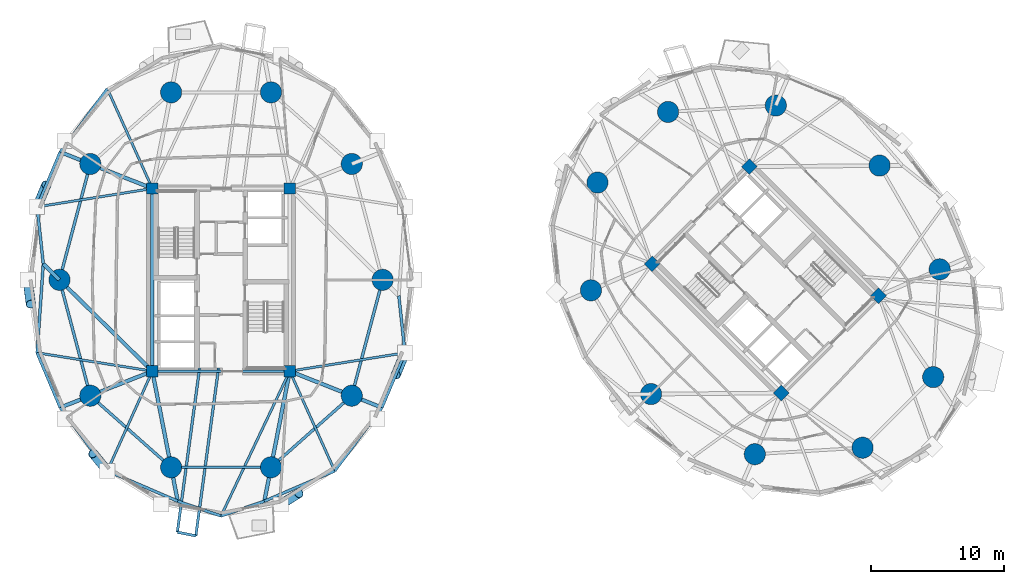
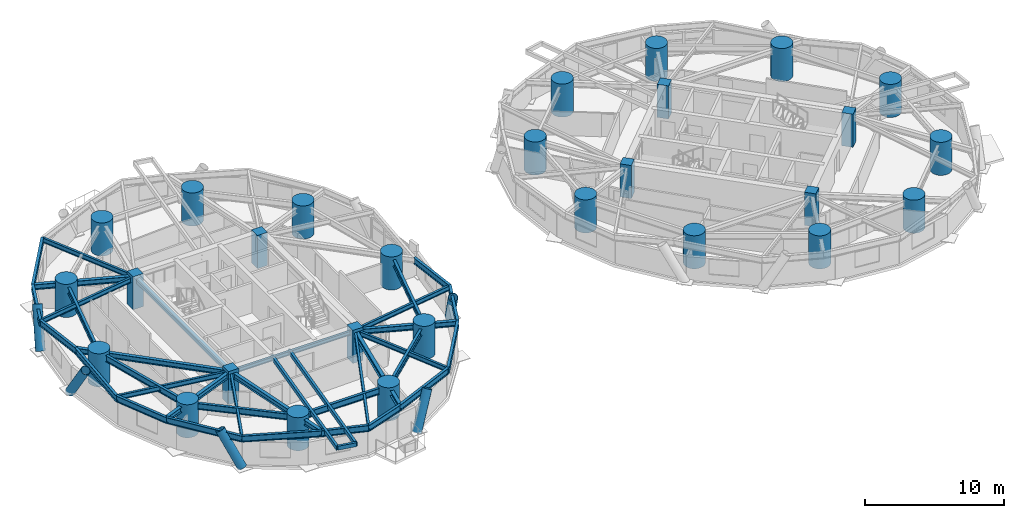
# One storey, part 1 of 18: 38 beams, 28 columns, 5 members.
"""IFC4 building model written with IfcOpenShell, lengths in metres."""

from ifc_helpers import new_model, si_unit, direction, frame, origin, origin_2d, place, context, subcontext, project, spatial, rectangle, hollow_rectangle, circle, hollow_circle, i_section, extrude, material, material_profile, profile_set, type_object, element, save


model = new_model("IFC4")

# Units and contexts
model_context = context("Model", 3, precision=1e-05, world=origin(), true_north=direction((0.0, 1.0)))
body_context = subcontext(model_context, "Body", "Model", "MODEL_VIEW")
ifc_project = project(units=[si_unit("LENGTHUNIT", "METRE"), si_unit("AREAUNIT", "SQUARE_METRE"), si_unit("VOLUMEUNIT", "CUBIC_METRE"), si_unit("PLANEANGLEUNIT", "RADIAN"), si_unit("MASSUNIT", "GRAM", prefix="KILO")], contexts=[model_context])

# Site, building, storey
site_placement = place(None, origin())
site = spatial("IfcSite", under=ifc_project, at=site_placement, CompositionType="ELEMENT")
building_placement = place(site_placement, origin())
building = spatial("IfcBuilding", under=site, at=building_placement, Name="Cununo Teusaquillo Station Towers", CompositionType="ELEMENT")
storey_placement = place(building_placement, frame((0.0, 0.0, 22.0)))
storey = spatial("IfcBuildingStorey", under=building, at=storey_placement, Name="L05", CompositionType="ELEMENT", Elevation=22.0)

# Columns
ifc_material_1 = material(Name="Concrete C50/60", Category="concrete")
ifc_material_profile_1 = material_profile(ifc_material_1, rectangle(XDim=0.85009765625, YDim=0.85009765625, at=origin_2d()), Name="RC-RECT-850x850")
ifc_profile_set_1 = profile_set([ifc_material_profile_1], Name="Concrete C50/60")
column_type_1 = type_object("IfcColumnType", Name="COL-CORE-Z1", PredefinedType="COLUMN", material=ifc_profile_set_1)
for number, where, z_axis, x_axis, name in (
    (1, (11.324951171875, 17.6201171875, 0.0), (0.0, 0.0, 1.0), (1.0, 0.0, 0.0), "L05 Tower A Core Column 1"),
    (2, (11.324951171875, 31.3798828125, 0.0), (0.0, 0.0, 1.0), (1.0, 0.0, 0.0), "L05 Tower A Core Column 2"),
    (3, (21.675048828125, 17.6201171875, 0.0), (0.0, 0.0, 1.0), (1.0, 0.0, 0.0), "L05 Tower A Core Column 3"),
    (4, (21.675048828125, 31.3798828125, 0.0), (0.0, 0.0, 1.0), (1.0, 0.0, 0.0), "L05 Tower A Core Column 4"),
    (5, (58.70556640625, 15.975830078125, 0.0), (0.0, 0.0, 1.0), (0.707106781187, 0.707106781187, 0.0), "L05 Tower B Core Column 1"),
    (6, (48.975830078125, 25.70556640625, 0.0), (0.0, 0.0, 1.0), (0.707106781187, 0.707106781187, 0.0), "L05 Tower B Core Column 2"),
    (7, (66.024169921875, 23.29443359375, 0.0), (0.0, 0.0, 1.0), (0.707106781187, 0.707106781187, 0.0), "L05 Tower B Core Column 3"),
    (8, (56.29443359375, 33.024169921875, 0.0), (0.0, 0.0, 1.0), (0.707106781187, 0.707106781187, 0.0), "L05 Tower B Core Column 4"),
):
    element("IfcColumn", number, at=place(storey_placement, frame(where, z_axis=z_axis, x_axis=x_axis)), inside=storey, type_object=column_type_1, Name=name, PredefinedType="COLUMN", context=body_context, shape_type="SweptSolid", body=[
        extrude(rectangle(XDim=0.85009765625, YDim=0.85009765625, at=origin_2d()), origin(), (0.0, 0.0, 1.0), 2.909912109375),
    ])
ifc_material_2 = material(Name="Concrete C60/75", Category="concrete")
ifc_material_profile_2 = material_profile(ifc_material_2, circle(Radius=0.800048828125, at=origin_2d()), Name="RC-CIRC-1600")
ifc_profile_set_2 = profile_set([ifc_material_profile_2], Name="Concrete C60/75")
column_type_2 = type_object("IfcColumnType", Name="COL-MEGA-Z1", PredefinedType="USERDEFINED", material=ifc_profile_set_2)
for number, where, z_axis, x_axis, name in (
    (9, (28.672119140625, 24.5, 0.0), (0.0, 0.0, 1.0), (1.0, 0.0, 0.0), "L05 Tower A Perimeter Column V00"),
    (10, (26.347412109375, 33.228515625, 0.0), (0.0, 0.0, 1.0), (1.0, 0.0, 0.0), "L05 Tower A Perimeter Column V02"),
    (11, (20.261474609375, 38.623291015625, 0.0), (0.0, 0.0, 1.0), (1.0, 0.0, 0.0), "L05 Tower A Perimeter Column V04"),
    (12, (12.738525390625, 38.623291015625, 0.0), (0.0, 0.0, 1.0), (1.0, 0.0, 0.0), "L05 Tower A Perimeter Column V06"),
    (13, (6.652587890625, 33.228515625, 0.0), (0.0, 0.0, 1.0), (1.0, 0.0, 0.0), "L05 Tower A Perimeter Column V08"),
    (14, (4.327880859375, 24.5, 0.0), (0.0, 0.0, 1.0), (1.0, 0.0, 0.0), "L05 Tower A Perimeter Column V10"),
    (15, (6.652587890625, 15.771484375, 0.0), (0.0, 0.0, 1.0), (1.0, 0.0, 0.0), "L05 Tower A Perimeter Column V12"),
    (16, (12.738525390625, 10.376708984375, 0.0), (0.0, 0.0, 1.0), (1.0, 0.0, 0.0), "L05 Tower A Perimeter Column V14"),
    (17, (20.261474609375, 10.376708984375, 0.0), (0.0, 0.0, 1.0), (1.0, 0.0, 0.0), "L05 Tower A Perimeter Column V16"),
    (18, (26.347412109375, 15.771484375, 0.0), (0.0, 0.0, 1.0), (1.0, 0.0, 0.0), "L05 Tower A Perimeter Column V18"),
    (19, (66.10693359375, 33.10693359375, 0.0), (0.0, 0.0, 1.0), (1.0, 0.0, 0.0), "L05 Tower B Perimeter Column V00"),
    (20, (58.291015625, 37.63525390625, 0.0), (0.0, 0.0, 1.0), (1.0, 0.0, 0.0), "L05 Tower B Perimeter Column V02"),
    (21, (50.173095703125, 37.146240234375, 0.0), (0.0, 0.0, 1.0), (1.0, 0.0, 0.0), "L05 Tower B Perimeter Column V04"),
    (22, (44.853759765625, 31.826904296875, 0.0), (0.0, 0.0, 1.0), (1.0, 0.0, 0.0), "L05 Tower B Perimeter Column V06"),
    (23, (44.36474609375, 23.708984375, 0.0), (0.0, 0.0, 1.0), (1.0, 0.0, 0.0), "L05 Tower B Perimeter Column V08"),
    (24, (48.89306640625, 15.89306640625, 0.0), (0.0, 0.0, 1.0), (1.0, 0.0, 0.0), "L05 Tower B Perimeter Column V10"),
    (25, (56.708984375, 11.36474609375, 0.0), (0.0, 0.0, 1.0), (1.0, 0.0, 0.0), "L05 Tower B Perimeter Column V12"),
    (26, (64.826904296875, 11.853759765625, 0.0), (0.0, 0.0, 1.0), (1.0, 0.0, 0.0), "L05 Tower B Perimeter Column V14"),
    (27, (70.146240234375, 17.173095703125, 0.0), (0.0, 0.0, 1.0), (1.0, 0.0, 0.0), "L05 Tower B Perimeter Column V16"),
    (28, (70.63525390625, 25.291015625, 0.0), (0.0, 0.0, 1.0), (1.0, 0.0, 0.0), "L05 Tower B Perimeter Column V18"),
):
    element("IfcColumn", number, at=place(storey_placement, frame(where, z_axis=z_axis, x_axis=x_axis)), inside=storey, type_object=column_type_2, Name=name, ObjectType="MEGA COLUMN", PredefinedType="USERDEFINED", context=body_context, shape_type="SweptSolid", body=[
        extrude(circle(Radius=0.800048828125, at=origin_2d()), origin(), (0.0, 0.0, 1.0), 2.909912109375),
    ])

# Beams
ifc_material_3 = material(Name="Steel EN 10025-2 S355J2", Category="steel")
ifc_material_profile_3 = material_profile(ifc_material_3, hollow_rectangle(XDim=0.199951171875, YDim=0.35009765625, WallThickness=0.013916015625, at=origin_2d()), Name="RHS 350x200x14")
ifc_profile_set_3 = profile_set([ifc_material_profile_3], Name="Steel EN 10025-2 S355J2")
beam_type_1 = type_object("IfcBeamType", Name="BM-BAL-CANT", PredefinedType="BEAM", material=ifc_profile_set_3)
beam_1_placement = place(storey_placement, frame((14.884521484375, 17.85009765625, 2.47509765625), z_axis=(-0.134333385501, -0.990936194485, 0.0), x_axis=(0.990936194485, -0.134333385501, 0.0)))
element("IfcBeam", 29, at=beam_1_placement, inside=storey, type_object=beam_type_1, Name="L05 Tower A Balcony Cantilever Bracket 2A", PredefinedType="BEAM", context=body_context, shape_type="SweptSolid", body=[
    extrude(hollow_rectangle(XDim=0.199951171875, YDim=0.35009765625, WallThickness=0.013916015625, at=origin_2d()), origin(), (0.0, 0.0, 1.0), 12.4765625),
])
beam_2_placement = place(storey_placement, frame((16.3125, 17.85009765625, 2.47509765625), z_axis=(-0.1343260621, -0.990937187233, 0.0), x_axis=(0.990937187233, -0.1343260621, 0.0)))
element("IfcBeam", 30, at=beam_2_placement, inside=storey, type_object=beam_type_1, Name="L05 Tower A Balcony Cantilever Bracket 2B", PredefinedType="BEAM", context=body_context, shape_type="SweptSolid", body=[
    extrude(hollow_rectangle(XDim=0.199951171875, YDim=0.35009765625, WallThickness=0.013916015625, at=origin_2d()), origin(), (0.0, 0.0, 1.0), 12.748046875),
])
ifc_material_4 = material(Name="Steel EN 10025-2 S355J2", Category="steel")
ifc_material_profile_4 = material_profile(ifc_material_4, hollow_rectangle(XDim=0.25, YDim=0.449951171875, WallThickness=0.01611328125, at=origin_2d()), Name="RHS 450x250x16")
ifc_profile_set_4 = profile_set([ifc_material_profile_4], Name="Steel EN 10025-2 S355J2")
beam_type_2 = type_object("IfcBeamType", Name="BM-COUP-1", PredefinedType="USERDEFINED", material=ifc_profile_set_4)
beam_3_placement = place(storey_placement, frame((11.324951171875, 17.6201171875, 2.425048828125), z_axis=(0.0, 1.0, 0.0), x_axis=(-1.0, 0.0, 0.0)))
element("IfcBeam", 31, at=beam_3_placement, inside=storey, type_object=beam_type_2, Name="L05 Tower A Core Beam 1", ObjectType="COUPLING BEAM", PredefinedType="USERDEFINED", context=body_context, shape_type="SweptSolid", body=[
    extrude(hollow_rectangle(XDim=0.25, YDim=0.449951171875, WallThickness=0.01611328125, at=origin_2d()), origin(), (0.0, 0.0, 1.0), 13.759765625),
])
ifc_material_5 = material(Name="Steel ASTM A572 Grade 50", Category="steel")
ifc_material_profile_5 = material_profile(ifc_material_5, i_section(OverallWidth=0.180908203125, OverallDepth=0.4169921875, WebThickness=0.010986328125, FlangeThickness=0.018310546875, FilletRadius=0.012939453125, at=origin_2d()), Name="W16X57")
ifc_profile_set_5 = profile_set([ifc_material_profile_5], Name="Steel ASTM A572 Grade 50")
beam_type_3 = type_object("IfcBeamType", Name="BM-JOIST-1", PredefinedType="JOIST", material=ifc_profile_set_5)
beam_4_placement = place(storey_placement, frame((11.324951171875, 31.3798828125, 2.44140625), z_axis=(-0.41127716143, 0.911510338113, 0.0), x_axis=(-0.911510338113, -0.41127716143, 0.0)))
element("IfcBeam", 32, at=beam_4_placement, inside=storey, type_object=beam_type_3, Name="L05 Tower A Radial Spandrel Joist V07", PredefinedType="JOIST", context=body_context, shape_type="SweptSolid", body=[
    extrude(i_section(OverallWidth=0.180908203125, OverallDepth=0.4169921875, WebThickness=0.010986328125, FlangeThickness=0.018310546875, FilletRadius=0.012939453125, at=origin_2d()), origin(), (0.0, 0.0, 1.0), 8.24169921875),
])
for number, where, z_axis, x_axis, name in (
    (33, (11.324951171875, 31.3798828125, 2.44140625), (-0.987559048351, -0.157248612141, 0.0), (0.157248612141, -0.987559048351, 0.0), "L05 Tower A Radial Spandrel Joist V09"),
    (34, (11.324951171875, 17.6201171875, 2.44140625), (-0.987559048351, 0.157248612141, 0.0), (-0.157248612141, -0.987559048351, 0.0), "L05 Tower A Radial Spandrel Joist V11"),
):
    element("IfcBeam", number, at=place(storey_placement, frame(where, z_axis=z_axis, x_axis=x_axis)), inside=storey, type_object=beam_type_3, Name=name, PredefinedType="JOIST", context=body_context, shape_type="SweptSolid", body=[
        extrude(i_section(OverallWidth=0.180908203125, OverallDepth=0.4169921875, WebThickness=0.010986328125, FlangeThickness=0.018310546875, FilletRadius=0.012939453125, at=origin_2d()), origin(), (0.0, 0.0, 1.0), 8.792236328125),
    ])
beam_5_placement = place(storey_placement, frame((11.324951171875, 17.6201171875, 2.44140625), z_axis=(-0.41127716143, -0.911510338113, 0.0), x_axis=(0.911510338113, -0.41127716143, 0.0)))
element("IfcBeam", 35, at=beam_5_placement, inside=storey, type_object=beam_type_3, Name="L05 Tower A Radial Spandrel Joist V13", PredefinedType="JOIST", context=body_context, shape_type="SweptSolid", body=[
    extrude(i_section(OverallWidth=0.180908203125, OverallDepth=0.4169921875, WebThickness=0.010986328125, FlangeThickness=0.018310546875, FilletRadius=0.012939453125, at=origin_2d()), origin(), (0.0, 0.0, 1.0), 8.24169921875),
])
beam_6_placement = place(storey_placement, frame((21.675048828125, 17.6201171875, 2.44140625), z_axis=(-0.428565163203, -0.903510874804, 0.0), x_axis=(0.903510874804, -0.428565163203, 0.0)))
element("IfcBeam", 36, at=beam_6_placement, inside=storey, type_object=beam_type_3, Name="L05 Tower A Radial Spandrel Joist V15", PredefinedType="JOIST", context=body_context, shape_type="SweptSolid", body=[
    extrude(i_section(OverallWidth=0.180908203125, OverallDepth=0.4169921875, WebThickness=0.010986328125, FlangeThickness=0.018310546875, FilletRadius=0.012939453125, at=origin_2d()), origin(), (0.0, 0.0, 1.0), 12.0751953125),
])
beam_7_placement = place(storey_placement, frame((21.675048828125, 17.6201171875, 2.44140625), z_axis=(0.41127716143, -0.911510338113, 0.0), x_axis=(0.911510338113, 0.41127716143, 0.0)))
element("IfcBeam", 37, at=beam_7_placement, inside=storey, type_object=beam_type_3, Name="L05 Tower A Radial Spandrel Joist V17", PredefinedType="JOIST", context=body_context, shape_type="SweptSolid", body=[
    extrude(i_section(OverallWidth=0.180908203125, OverallDepth=0.4169921875, WebThickness=0.010986328125, FlangeThickness=0.018310546875, FilletRadius=0.012939453125, at=origin_2d()), origin(), (0.0, 0.0, 1.0), 8.24169921875),
])
beam_8_placement = place(storey_placement, frame((21.675048828125, 17.6201171875, 2.44140625), z_axis=(0.987559048351, 0.157248612141, 0.0), x_axis=(-0.157248612141, 0.987559048351, 0.0)))
element("IfcBeam", 38, at=beam_8_placement, inside=storey, type_object=beam_type_3, Name="L05 Tower A Radial Spandrel Joist V19", PredefinedType="JOIST", context=body_context, shape_type="SweptSolid", body=[
    extrude(i_section(OverallWidth=0.180908203125, OverallDepth=0.4169921875, WebThickness=0.010986328125, FlangeThickness=0.018310546875, FilletRadius=0.012939453125, at=origin_2d()), origin(), (0.0, 0.0, 1.0), 8.792236328125),
])
ifc_material_6 = material(Name="Steel ASTM A572 Grade 50", Category="steel")
ifc_material_profile_6 = material_profile(ifc_material_6, i_section(OverallWidth=0.2041015625, OverallDepth=0.35009765625, WebThickness=0.008544921875, FlangeThickness=0.01513671875, FilletRadius=0.011962890625, at=origin_2d()), Name="W14X48")
ifc_profile_set_6 = profile_set([ifc_material_profile_6], Name="Steel ASTM A572 Grade 50")
beam_type_4 = type_object("IfcBeamType", Name="BM-LINTEL-1", PredefinedType="LINTEL", material=ifc_profile_set_6)
beam_9_placement = place(storey_placement, frame((11.324951171875, 17.6201171875, 2.47509765625), z_axis=(1.0, 0.0, 0.0), x_axis=(0.0, 1.0, 0.0)))
element("IfcBeam", 39, at=beam_9_placement, inside=storey, type_object=beam_type_4, Name="L05 Tower A Core Beam 3", PredefinedType="LINTEL", context=body_context, shape_type="SweptSolid", body=[
    extrude(i_section(OverallWidth=0.2041015625, OverallDepth=0.35009765625, WebThickness=0.008544921875, FlangeThickness=0.01513671875, FilletRadius=0.011962890625, at=origin_2d()), origin(), (0.0, 0.0, 1.0), 10.35009765625),
])
ifc_material_7 = material(Name="Steel ASTM A572 Grade 50", Category="steel")
ifc_material_profile_7 = material_profile(ifc_material_7, i_section(OverallWidth=0.280029296875, OverallDepth=0.462890625, WebThickness=0.0107421875, FlangeThickness=0.017333984375, FilletRadius=0.013916015625, at=origin_2d()), Name="W18X76")
ifc_profile_set_7 = profile_set([ifc_material_profile_7], Name="Steel ASTM A572 Grade 50")
beam_type_5 = type_object("IfcBeamType", Name="BM-RAD-G1", PredefinedType="BEAM", material=ifc_profile_set_7)
beam_10_placement = place(storey_placement, frame((11.324951171875, 31.3798828125, 2.41845703125), z_axis=(-0.929859530412, 0.367914737, 0.0), x_axis=(-0.367914737, -0.929859530412, 0.0)))
element("IfcBeam", 40, at=beam_10_placement, inside=storey, type_object=beam_type_5, Name="L05 Tower A Continuous Overhanging Radial Girder 05", PredefinedType="BEAM", context=body_context, shape_type="SweptSolid", body=[
    extrude(i_section(OverallWidth=0.280029296875, OverallDepth=0.462890625, WebThickness=0.0107421875, FlangeThickness=0.017333984375, FilletRadius=0.013916015625, at=origin_2d()), origin(), (0.0, 0.0, 1.0), 7.46533203125),
])
beam_11_placement = place(storey_placement, frame((11.324951171875, 17.6201171875, 2.41845703125), z_axis=(-0.713052701438, 0.701110437073, 0.0), x_axis=(-0.701110437073, -0.713052701438, 0.0)))
element("IfcBeam", 41, at=beam_11_placement, inside=storey, type_object=beam_type_5, Name="L05 Tower A Radial Girder 06A", PredefinedType="BEAM", context=body_context, shape_type="SweptSolid", body=[
    extrude(i_section(OverallWidth=0.280029296875, OverallDepth=0.462890625, WebThickness=0.0107421875, FlangeThickness=0.017333984375, FilletRadius=0.013916015625, at=origin_2d()), origin(), (0.0, 0.0, 1.0), 9.812744140625),
])
beam_12_placement = place(storey_placement, frame((4.327880859375, 24.5, 2.41845703125), z_axis=(-0.713076004542, 0.701086736251, 0.0), x_axis=(-0.701086736251, -0.713076004542, 0.0)))
element("IfcBeam", 42, at=beam_12_placement, inside=storey, type_object=beam_type_5, Name="L05 Tower A Perimeter Overhang Girder 06B", PredefinedType="BEAM", context=body_context, shape_type="SweptSolid", body=[
    extrude(i_section(OverallWidth=0.280029296875, OverallDepth=0.462890625, WebThickness=0.0107421875, FlangeThickness=0.017333984375, FilletRadius=0.013916015625, at=origin_2d()), origin(), (0.0, 0.0, 1.0), 1.71044921875),
])
beam_13_placement = place(storey_placement, frame((11.324951171875, 17.6201171875, 2.41845703125), z_axis=(-0.929859530412, -0.367914737, 0.0), x_axis=(0.367914737, -0.929859530412, 0.0)))
element("IfcBeam", 43, at=beam_13_placement, inside=storey, type_object=beam_type_5, Name="L05 Tower A Continuous Overhanging Radial Girder 07", PredefinedType="BEAM", context=body_context, shape_type="SweptSolid", body=[
    extrude(i_section(OverallWidth=0.280029296875, OverallDepth=0.462890625, WebThickness=0.0107421875, FlangeThickness=0.017333984375, FilletRadius=0.013916015625, at=origin_2d()), origin(), (0.0, 0.0, 1.0), 7.46533203125),
])
for number, where, z_axis, x_axis, name in (
    (44, (11.324951171875, 17.6201171875, 2.41845703125), (0.191551733899, -0.981482518051, 0.0), (0.981482518051, 0.191551733899, 0.0), "L05 Tower A Continuous Overhanging Radial Girder 08"),
    (45, (21.675048828125, 17.6201171875, 2.41845703125), (-0.191551733899, -0.981482518051, 0.0), (0.981482518051, -0.191551733899, 0.0), "L05 Tower A Continuous Overhanging Radial Girder 09"),
):
    element("IfcBeam", number, at=place(storey_placement, frame(where, z_axis=z_axis, x_axis=x_axis)), inside=storey, type_object=beam_type_5, Name=name, PredefinedType="BEAM", context=body_context, shape_type="SweptSolid", body=[
        extrude(i_section(OverallWidth=0.280029296875, OverallDepth=0.462890625, WebThickness=0.0107421875, FlangeThickness=0.017333984375, FilletRadius=0.013916015625, at=origin_2d()), origin(), (0.0, 0.0, 1.0), 9.982177734375),
    ])
beam_14_placement = place(storey_placement, frame((21.675048828125, 17.6201171875, 2.41845703125), z_axis=(0.929859530412, -0.367914737, 0.0), x_axis=(0.367914737, 0.929859530412, 0.0)))
element("IfcBeam", 46, at=beam_14_placement, inside=storey, type_object=beam_type_5, Name="L05 Tower A Continuous Overhanging Radial Girder 10", PredefinedType="BEAM", context=body_context, shape_type="SweptSolid", body=[
    extrude(i_section(OverallWidth=0.280029296875, OverallDepth=0.462890625, WebThickness=0.0107421875, FlangeThickness=0.017333984375, FilletRadius=0.013916015625, at=origin_2d()), origin(), (0.0, 0.0, 1.0), 7.46533203125),
])
ifc_material_8 = material(Name="Steel ASTM A572 Grade 50", Category="steel")
ifc_material_profile_8 = material_profile(ifc_material_8, i_section(OverallWidth=0.214111328125, OverallDepth=0.549072265625, WebThickness=0.0146484375, FlangeThickness=0.023681640625, FilletRadius=0.014892578125, at=origin_2d()), Name="W21X93")
ifc_profile_set_8 = profile_set([ifc_material_profile_8], Name="Steel ASTM A572 Grade 50")
beam_type_6 = type_object("IfcBeamType", Name="BM-RING-Z1", PredefinedType="SPANDREL", material=ifc_profile_set_8)
for number, where, z_axis, x_axis, name in (
    (47, (6.652587890625, 33.228515625, 2.37548828125), (-0.257363196347, -0.966314744359, 0.0), (0.966314744359, -0.257363196347, 0.0), "L05 Tower A Structural Column Ring Girder 05"),
    (48, (4.327880859375, 24.5, 2.37548828125), (0.257363196347, -0.966314744359, 0.0), (0.966314744359, 0.257363196347, 0.0), "L05 Tower A Structural Column Ring Girder 06"),
):
    element("IfcBeam", number, at=place(storey_placement, frame(where, z_axis=z_axis, x_axis=x_axis)), inside=storey, type_object=beam_type_6, Name=name, PredefinedType="SPANDREL", context=body_context, shape_type="SweptSolid", body=[
        extrude(i_section(OverallWidth=0.214111328125, OverallDepth=0.549072265625, WebThickness=0.0146484375, FlangeThickness=0.023681640625, FilletRadius=0.014892578125, at=origin_2d()), origin(), (0.0, 0.0, 1.0), 9.03271484375),
    ])
beam_15_placement = place(storey_placement, frame((6.652587890625, 15.771484375, 2.37548828125), z_axis=(0.74832120039, -0.66333655187, 0.0), x_axis=(0.66333655187, 0.74832120039, 0.0)))
element("IfcBeam", 49, at=beam_15_placement, inside=storey, type_object=beam_type_6, Name="L05 Tower A Structural Column Ring Girder 07", PredefinedType="SPANDREL", context=body_context, shape_type="SweptSolid", body=[
    extrude(i_section(OverallWidth=0.214111328125, OverallDepth=0.549072265625, WebThickness=0.0146484375, FlangeThickness=0.023681640625, FilletRadius=0.014892578125, at=origin_2d()), origin(), (0.0, 0.0, 1.0), 8.1328125),
])
beam_16_placement = place(storey_placement, frame((12.738525390625, 10.376708984375, 2.37548828125), z_axis=(1.0, 0.0, 0.0), x_axis=(0.0, 1.0, 0.0)))
element("IfcBeam", 50, at=beam_16_placement, inside=storey, type_object=beam_type_6, Name="L05 Tower A Structural Column Ring Girder 08", PredefinedType="SPANDREL", context=body_context, shape_type="SweptSolid", body=[
    extrude(i_section(OverallWidth=0.214111328125, OverallDepth=0.549072265625, WebThickness=0.0146484375, FlangeThickness=0.023681640625, FilletRadius=0.014892578125, at=origin_2d()), origin(), (0.0, 0.0, 1.0), 7.52294921875),
])
beam_17_placement = place(storey_placement, frame((20.261474609375, 10.376708984375, 2.37548828125), z_axis=(0.74832120039, 0.66333655187, 0.0), x_axis=(-0.66333655187, 0.74832120039, 0.0)))
element("IfcBeam", 51, at=beam_17_placement, inside=storey, type_object=beam_type_6, Name="L05 Tower A Structural Column Ring Girder 09", PredefinedType="SPANDREL", context=body_context, shape_type="SweptSolid", body=[
    extrude(i_section(OverallWidth=0.214111328125, OverallDepth=0.549072265625, WebThickness=0.0146484375, FlangeThickness=0.023681640625, FilletRadius=0.014892578125, at=origin_2d()), origin(), (0.0, 0.0, 1.0), 8.1328125),
])
beam_18_placement = place(storey_placement, frame((26.347412109375, 15.771484375, 2.37548828125), z_axis=(0.257363196347, 0.966314744359, 0.0), x_axis=(-0.966314744359, 0.257363196347, 0.0)))
element("IfcBeam", 52, at=beam_18_placement, inside=storey, type_object=beam_type_6, Name="L05 Tower A Structural Column Ring Girder 10", PredefinedType="SPANDREL", context=body_context, shape_type="SweptSolid", body=[
    extrude(i_section(OverallWidth=0.214111328125, OverallDepth=0.549072265625, WebThickness=0.0146484375, FlangeThickness=0.023681640625, FilletRadius=0.014892578125, at=origin_2d()), origin(), (0.0, 0.0, 1.0), 9.03271484375),
])
beam_19_placement = place(storey_placement, frame((7.935302734375, 38.892333984375, 2.37548828125), z_axis=(-0.597585408829, -0.801805262613, 0.0), x_axis=(0.801805262613, -0.597585408829, 0.0)))
element("IfcBeam", 53, at=beam_19_placement, inside=storey, type_object=beam_type_6, Name="L05 Tower A Spandrel Ring Beam 08", PredefinedType="SPANDREL", context=body_context, shape_type="SweptSolid", body=[
    extrude(i_section(OverallWidth=0.214111328125, OverallDepth=0.549072265625, WebThickness=0.0146484375, FlangeThickness=0.023681640625, FilletRadius=0.014892578125, at=origin_2d()), origin(), (0.0, 0.0, 1.0), 5.94384765625),
])
beam_20_placement = place(storey_placement, frame((4.38330078125, 34.12646484375, 2.37548828125), z_axis=(-0.388553804392, -0.921426036691, 0.0), x_axis=(0.921426036691, -0.388553804392, 0.0)))
element("IfcBeam", 54, at=beam_20_placement, inside=storey, type_object=beam_type_6, Name="L05 Tower A Spandrel Ring Beam 09", PredefinedType="SPANDREL", context=body_context, shape_type="SweptSolid", body=[
    extrude(i_section(OverallWidth=0.214111328125, OverallDepth=0.549072265625, WebThickness=0.0146484375, FlangeThickness=0.023681640625, FilletRadius=0.014892578125, at=origin_2d()), origin(), (0.0, 0.0, 1.0), 4.481201171875),
])
beam_21_placement = place(storey_placement, frame((2.64208984375, 29.997314453125, 2.37548828125), z_axis=(0.107803171724, -0.994172256788, 0.0), x_axis=(0.994172256788, 0.107803171724, 0.0)))
element("IfcBeam", 55, at=beam_21_placement, inside=storey, type_object=beam_type_6, Name="L05 Tower A Spandrel Ring Beam 10", PredefinedType="SPANDREL", context=body_context, shape_type="SweptSolid", body=[
    extrude(i_section(OverallWidth=0.214111328125, OverallDepth=0.549072265625, WebThickness=0.0146484375, FlangeThickness=0.023681640625, FilletRadius=0.014892578125, at=origin_2d()), origin(), (0.0, 0.0, 1.0), 4.3232421875),
])
beam_22_placement = place(storey_placement, frame((3.108154296875, 25.69921875, 2.37548828125), z_axis=(-0.069429919473, -0.99758683145, 0.0), x_axis=(0.99758683145, -0.069429919473, 0.0)))
element("IfcBeam", 56, at=beam_22_placement, inside=storey, type_object=beam_type_6, Name="L05 Tower A Spandrel Ring Beam 11", PredefinedType="SPANDREL", context=body_context, shape_type="SweptSolid", body=[
    extrude(i_section(OverallWidth=0.214111328125, OverallDepth=0.549072265625, WebThickness=0.0146484375, FlangeThickness=0.023681640625, FilletRadius=0.014892578125, at=origin_2d()), origin(), (0.0, 0.0, 1.0), 6.712646484375),
])
beam_23_placement = place(storey_placement, frame((2.64208984375, 19.002685546875, 2.37548828125), z_axis=(0.388553804392, -0.921426036691, 0.0), x_axis=(0.921426036691, 0.388553804392, 0.0)))
element("IfcBeam", 57, at=beam_23_placement, inside=storey, type_object=beam_type_6, Name="L05 Tower A Spandrel Ring Beam 12", PredefinedType="SPANDREL", context=body_context, shape_type="SweptSolid", body=[
    extrude(i_section(OverallWidth=0.214111328125, OverallDepth=0.549072265625, WebThickness=0.0146484375, FlangeThickness=0.023681640625, FilletRadius=0.014892578125, at=origin_2d()), origin(), (0.0, 0.0, 1.0), 4.481201171875),
])
beam_24_placement = place(storey_placement, frame((4.38330078125, 14.87353515625, 2.37548828125), z_axis=(0.597585408829, -0.801805262613, 0.0), x_axis=(0.801805262613, 0.597585408829, 0.0)))
element("IfcBeam", 58, at=beam_24_placement, inside=storey, type_object=beam_type_6, Name="L05 Tower A Spandrel Ring Beam 13", PredefinedType="SPANDREL", context=body_context, shape_type="SweptSolid", body=[
    extrude(i_section(OverallWidth=0.214111328125, OverallDepth=0.549072265625, WebThickness=0.0146484375, FlangeThickness=0.023681640625, FilletRadius=0.014892578125, at=origin_2d()), origin(), (0.0, 0.0, 1.0), 5.94384765625),
])
beam_25_placement = place(storey_placement, frame((7.935302734375, 10.107666015625, 2.37548828125), z_axis=(0.91834475778, -0.395781386446, 0.0), x_axis=(0.395781386446, 0.91834475778, 0.0)))
element("IfcBeam", 59, at=beam_25_placement, inside=storey, type_object=beam_type_6, Name="L05 Tower A Spandrel Ring Beam 14", PredefinedType="SPANDREL", context=body_context, shape_type="SweptSolid", body=[
    extrude(i_section(OverallWidth=0.214111328125, OverallDepth=0.549072265625, WebThickness=0.0146484375, FlangeThickness=0.023681640625, FilletRadius=0.014892578125, at=origin_2d()), origin(), (0.0, 0.0, 1.0), 5.773193359375),
])
for number, where, z_axis, x_axis, name in (
    (60, (13.237060546875, 7.82275390625, 2.37548828125), (0.946472331641, -0.32278495231, 0.0), (0.32278495231, 0.946472331641, 0.0), "L05 Tower A Spandrel Ring Beam 15"),
    (61, (16.5, 6.7099609375, 2.37548828125), (0.946472331641, 0.32278495231, 0.0), (-0.32278495231, 0.946472331641, 0.0), "L05 Tower A Spandrel Ring Beam 16"),
):
    element("IfcBeam", number, at=place(storey_placement, frame(where, z_axis=z_axis, x_axis=x_axis)), inside=storey, type_object=beam_type_6, Name=name, PredefinedType="SPANDREL", context=body_context, shape_type="SweptSolid", body=[
        extrude(i_section(OverallWidth=0.214111328125, OverallDepth=0.549072265625, WebThickness=0.0146484375, FlangeThickness=0.023681640625, FilletRadius=0.014892578125, at=origin_2d()), origin(), (0.0, 0.0, 1.0), 3.447509765625),
    ])
beam_26_placement = place(storey_placement, frame((19.762939453125, 7.82275390625, 2.37548828125), z_axis=(0.91834475778, 0.395781386446, 0.0), x_axis=(-0.395781386446, 0.91834475778, 0.0)))
element("IfcBeam", 62, at=beam_26_placement, inside=storey, type_object=beam_type_6, Name="L05 Tower A Spandrel Ring Beam 17", PredefinedType="SPANDREL", context=body_context, shape_type="SweptSolid", body=[
    extrude(i_section(OverallWidth=0.214111328125, OverallDepth=0.549072265625, WebThickness=0.0146484375, FlangeThickness=0.023681640625, FilletRadius=0.014892578125, at=origin_2d()), origin(), (0.0, 0.0, 1.0), 5.773193359375),
])
beam_27_placement = place(storey_placement, frame((25.064697265625, 10.107666015625, 2.37548828125), z_axis=(0.597585408829, 0.801805262613, 0.0), x_axis=(-0.801805262613, 0.597585408829, 0.0)))
element("IfcBeam", 63, at=beam_27_placement, inside=storey, type_object=beam_type_6, Name="L05 Tower A Spandrel Ring Beam 18", PredefinedType="SPANDREL", context=body_context, shape_type="SweptSolid", body=[
    extrude(i_section(OverallWidth=0.214111328125, OverallDepth=0.549072265625, WebThickness=0.0146484375, FlangeThickness=0.023681640625, FilletRadius=0.014892578125, at=origin_2d()), origin(), (0.0, 0.0, 1.0), 5.94384765625),
])
beam_28_placement = place(storey_placement, frame((28.61669921875, 14.87353515625, 2.37548828125), z_axis=(0.388553804392, 0.921426036691, 0.0), x_axis=(-0.921426036691, 0.388553804392, 0.0)))
element("IfcBeam", 64, at=beam_28_placement, inside=storey, type_object=beam_type_6, Name="L05 Tower A Spandrel Ring Beam 19", PredefinedType="SPANDREL", context=body_context, shape_type="SweptSolid", body=[
    extrude(i_section(OverallWidth=0.214111328125, OverallDepth=0.549072265625, WebThickness=0.0146484375, FlangeThickness=0.023681640625, FilletRadius=0.014892578125, at=origin_2d()), origin(), (0.0, 0.0, 1.0), 4.481201171875),
])
beam_29_placement = place(storey_placement, frame((30.35791015625, 19.002685546875, 2.37548828125), z_axis=(-0.107803171724, 0.994172256788, 0.0), x_axis=(-0.994172256788, -0.107803171724, 0.0)))
element("IfcBeam", 65, at=beam_29_placement, inside=storey, type_object=beam_type_6, Name="L05 Tower A Spandrel Ring Beam 20", PredefinedType="SPANDREL", context=body_context, shape_type="SweptSolid", body=[
    extrude(i_section(OverallWidth=0.214111328125, OverallDepth=0.549072265625, WebThickness=0.0146484375, FlangeThickness=0.023681640625, FilletRadius=0.014892578125, at=origin_2d()), origin(), (0.0, 0.0, 1.0), 4.3232421875),
])
ifc_material_9 = material(Name="Steel EN 10025-2 S355J2", Category="steel")
ifc_material_profile_9 = material_profile(ifc_material_9, hollow_rectangle(XDim=0.199951171875, YDim=0.35009765625, WallThickness=0.013916015625, at=origin_2d()), Name="RHS 350x200x14")
ifc_profile_set_9 = profile_set([ifc_material_profile_9], Name="Steel EN 10025-2 S355J2")
beam_type_7 = type_object("IfcBeamType", Name="BM-STAIR-TRIM", PredefinedType="BEAM", material=ifc_profile_set_9)
beam_30_placement = place(storey_placement, frame((13.20849609375, 5.486572265625, 2.52490234375), z_axis=(0.981819220437, -0.189818382618, 0.0), x_axis=(0.189818382618, 0.981819220437, 0.0)))
element("IfcBeam", 66, at=beam_30_placement, inside=storey, type_object=beam_type_7, Name="L05 Tower A Balcony Edge Trimmer Beam 2", PredefinedType="BEAM", context=body_context, shape_type="SweptSolid", body=[
    extrude(hollow_rectangle(XDim=0.199951171875, YDim=0.35009765625, WallThickness=0.013916015625, at=origin_2d()), origin(), (0.0, 0.0, 1.0), 1.41748046875),
])

# Members
ifc_material_10 = material(Name="Steel EN 10025-2 S355J2", Category="steel")
ifc_material_profile_10 = material_profile(ifc_material_10, hollow_circle(Radius=0.360107421875, WallThickness=0.028076171875, at=origin_2d()), Name="CHS 720x28")
ifc_profile_set_10 = profile_set([ifc_material_profile_10], Name="Steel EN 10025-2 S355J2")
member_type = type_object("IfcMemberType", Name="MBR-DIAG-Z1", PredefinedType="BRACE", material=ifc_profile_set_10)
member_1_placement = place(storey_placement, frame((2.64208984375, 29.997314453125, -0.139892578125), z_axis=(0.2019110902, 0.483772113143, 0.851584672361), x_axis=(-0.92284691328, 0.385166943868, 0.0)))
element("IfcMember", 67, at=member_1_placement, inside=storey, type_object=member_type, Name="L05 Tower A Folded-Zigzag Diagrid Tube C08", PredefinedType="BRACE", context=body_context, shape_type="SweptSolid", body=[
    extrude(hollow_circle(Radius=0.360107421875, WallThickness=0.028076171875, at=origin_2d()), origin(), (0.0, 0.0, 1.0), 3.4169921875),
])
member_2_placement = place(storey_placement, frame((1.928955078125, 24.5, -0.139892578125), z_axis=(0.068984171095, -0.531617236386, 0.844170775445), x_axis=(0.991685654641, 0.128683963179, 0.0)))
element("IfcMember", 68, at=member_2_placement, inside=storey, type_object=member_type, Name="L05 Tower A Folded-Zigzag Diagrid Tube C10", PredefinedType="BRACE", context=body_context, shape_type="SweptSolid", body=[
    extrude(hollow_circle(Radius=0.360107421875, WallThickness=0.028076171875, at=origin_2d()), origin(), (0.0, 0.0, 1.0), 3.447021484375),
])
member_3_placement = place(storey_placement, frame((7.935302734375, 10.107666015625, -0.139892578125), z_axis=(-0.319029919395, 0.38949051509, 0.864012181156), x_axis=(-0.773610773279, -0.63366108565, 0.0)))
element("IfcMember", 69, at=member_3_placement, inside=storey, type_object=member_type, Name="L05 Tower A Folded-Zigzag Diagrid Tube C12", PredefinedType="BRACE", context=body_context, shape_type="SweptSolid", body=[
    extrude(hollow_circle(Radius=0.360107421875, WallThickness=0.028076171875, at=origin_2d()), origin(), (0.0, 0.0, 1.0), 3.367919921875),
])
member_4_placement = place(storey_placement, frame((21.002685546875, 7.580810546875, -0.139892578125), z_axis=(0.408055438653, 0.253839030536, 0.876958668104), x_axis=(-0.528208680412, 0.849114591758, 0.0)))
element("IfcMember", 70, at=member_4_placement, inside=storey, type_object=member_type, Name="L05 Tower A Folded-Zigzag Diagrid Tube C16", PredefinedType="BRACE", context=body_context, shape_type="SweptSolid", body=[
    extrude(hollow_circle(Radius=0.360107421875, WallThickness=0.028076171875, at=origin_2d()), origin(), (0.0, 0.0, 1.0), 3.318115234375),
])
member_5_placement = place(storey_placement, frame((30.35791015625, 19.002685546875, -0.139892578125), z_axis=(-0.2019110902, -0.483772113143, 0.851584672361), x_axis=(0.92284691328, -0.385166943868, 0.0)))
element("IfcMember", 71, at=member_5_placement, inside=storey, type_object=member_type, Name="L05 Tower A Folded-Zigzag Diagrid Tube C18", PredefinedType="BRACE", context=body_context, shape_type="SweptSolid", body=[
    extrude(hollow_circle(Radius=0.360107421875, WallThickness=0.028076171875, at=origin_2d()), origin(), (0.0, 0.0, 1.0), 3.4169921875),
])

save(model, "model.ifc")
